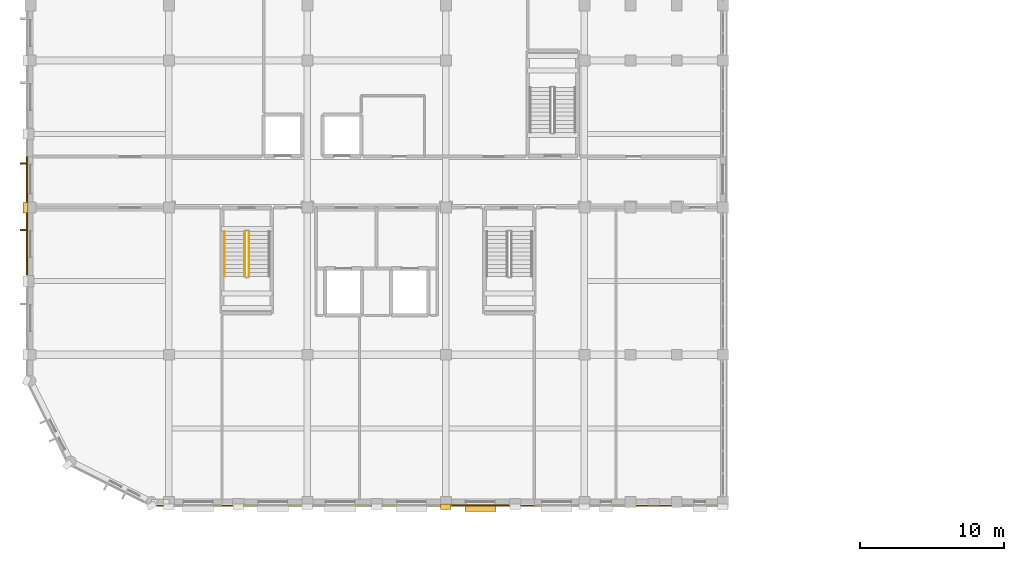
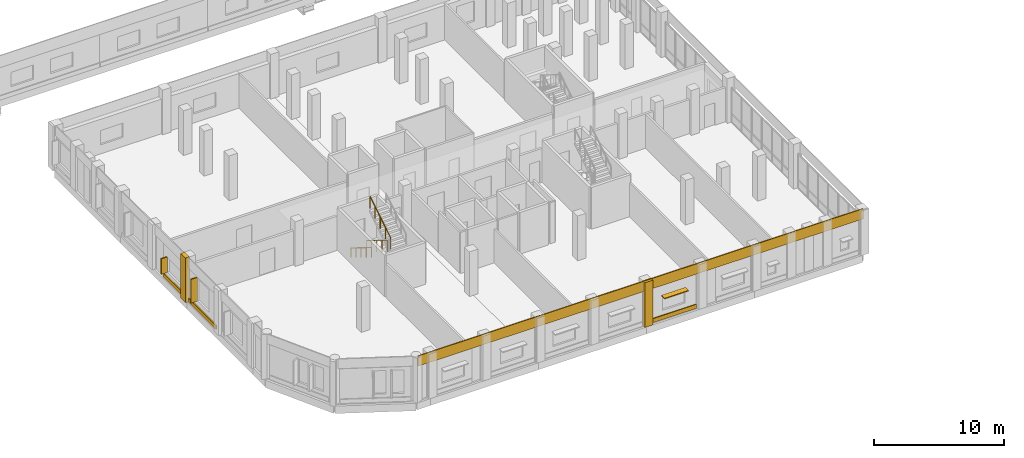
# One storey, part 152 of 170: 6 coverings, 3 railings, 3 shading devices.
"""IFC4 building model written with IfcOpenShell, lengths in metres."""

import ifcopenshell
import ifcopenshell.guid

model = None  # the IFC model being written
_history = None  # IfcOwnerHistory: only IFC2X3 demands one
_inside = {}  # id of a spatial element -> (the spatial element, [elements in it])
_under = {}  # id of a project, library or spatial element -> (it, [spatial elements below it])
_declared = {}  # id of a project -> (the project, [libraries it declares])
_typed = {}  # id of a type object -> (the type object, [elements of that type])
_made_of = {}  # id of a material, layer set ... -> (it, [elements and type objects made of it])


def new_model(schema):
    """Start an empty IFC model of exactly this schema.

    Asked for "IFC4X3", IfcOpenShell would pick the latest addendum, in which some entities
    have other attributes; the version numbers below select the first issue.
    IFC2X3 requires an IfcOwnerHistory on every rooted entity: one is made here for all.
    """
    global model, _history
    if schema == "IFC4X3":
        model = ifcopenshell.file(schema_version=(4, 3, 0, 0))
    else:
        model = ifcopenshell.file(schema=schema)
    _inside.clear()
    _under.clear()
    _declared.clear()
    _typed.clear()
    _made_of.clear()
    _history = None
    if model.schema == "IFC2X3":
        org = make("IfcOrganization", Name="unknown")
        user = make(
            "IfcPersonAndOrganization",
            ThePerson=make("IfcPerson", FamilyName="unknown"),
            TheOrganization=org,
        )
        app = make(
            "IfcApplication",
            ApplicationDeveloper=org,
            Version="unknown",
            ApplicationFullName="unknown",
            ApplicationIdentifier="unknown",
        )
        _history = make(
            "IfcOwnerHistory",
            OwningUser=user,
            OwningApplication=app,
            ChangeAction="ADDED",
            CreationDate=0,
        )
    return model


def make(cls, **values):
    """One entity of the class cls with the attributes given. An attribute that is None is left unset."""
    return model.create_entity(
        cls, **{name: value for name, value in values.items() if value is not None}
    )


def rooted(cls, **values):
    """An entity with a GlobalId (a new one), such as an element, a storey or a relation."""
    return make(cls, GlobalId=ifcopenshell.guid.new(), OwnerHistory=_history, **values)


def si_unit(unit_type, name, prefix=None):
    """IfcSIUnit, for example si_unit("LENGTHUNIT", "METRE", prefix="MILLI")."""
    return make("IfcSIUnit", UnitType=unit_type, Prefix=prefix, Name=name)


def assignment(units):
    """IfcUnitAssignment: the units of a project."""
    return None if units is None else make("IfcUnitAssignment", Units=units)


def point(xyz):
    """IfcCartesianPoint."""
    return None if xyz is None else make("IfcCartesianPoint", Coordinates=xyz)


def direction(xyz):
    """IfcDirection."""
    return None if xyz is None else make("IfcDirection", DirectionRatios=xyz)


def frame(location, z_axis=None, x_axis=None):
    """IfcAxis2Placement3D, a coordinate frame: its origin and axes. An axis left out is left unset."""
    return make(
        "IfcAxis2Placement3D",
        Location=point(location),
        Axis=direction(z_axis),
        RefDirection=direction(x_axis),
    )


def frame_2d(location, x_axis=None):
    """IfcAxis2Placement2D, a coordinate frame in the plane: its origin and x axis."""
    return make(
        "IfcAxis2Placement2D", Location=point(location), RefDirection=direction(x_axis)
    )


def origin():
    """The frame at (0, 0, 0) with its axes left unset."""
    return frame((0.0, 0.0, 0.0))


def origin_2d():
    """The frame at (0, 0) in the plane with its x axis left unset."""
    return frame_2d((0.0, 0.0))


def place(relative_to, where):
    """IfcLocalPlacement: puts the frame where relative to a parent placement (None: the world)."""
    return make(
        "IfcLocalPlacement", PlacementRelTo=relative_to, RelativePlacement=where
    )


def context(
    kind, dimensions, precision=None, world=None, true_north=None, identifier=None
):
    """IfcGeometricRepresentationContext, for example the 3D "Model" context."""
    return make(
        "IfcGeometricRepresentationContext",
        ContextIdentifier=identifier,
        ContextType=kind,
        CoordinateSpaceDimension=dimensions,
        Precision=precision,
        WorldCoordinateSystem=world,
        TrueNorth=true_north,
    )


def subcontext(parent, identifier, kind, view, scale=None):
    """IfcGeometricRepresentationSubContext, for example "Body" below "Model"."""
    return make(
        "IfcGeometricRepresentationSubContext",
        ContextIdentifier=identifier,
        ContextType=kind,
        ParentContext=parent,
        TargetScale=scale,
        TargetView=view,
    )


def project(units=None, contexts=None):
    """IfcProject with its units and contexts."""
    return rooted(
        "IfcProject",
        Name="project",
        RepresentationContexts=contexts,
        UnitsInContext=assignment(units),
    )


def spatial(cls, under=None, at=None, **own):
    """A site, building, storey or space (cls), placed at a placement, below another one or the project."""
    s = rooted(cls, ObjectPlacement=at, **own)
    if under is not None:
        _under.setdefault(under.id(), (under, []))[1].append(s)
    return s


def profile(cls, at=None, kind="AREA", **sizes):
    """A parametric profile (cls). Its sizes go by their IFC names, for example OverallWidth=200.0."""
    return make(cls, ProfileType=kind, Position=at, **sizes)


def rectangle(**sizes):
    """IfcRectangleProfileDef."""
    return profile("IfcRectangleProfileDef", **sizes)


def circle(**sizes):
    """IfcCircleProfileDef."""
    return profile("IfcCircleProfileDef", **sizes)


def extrude(swept, where, along, depth):
    """IfcExtrudedAreaSolid: the profile swept, set in the frame where, extruded along a direction by depth."""
    return make(
        "IfcExtrudedAreaSolid",
        SweptArea=swept,
        Position=where,
        ExtrudedDirection=direction(along),
        Depth=depth,
    )


def shape(context_of_items, identifier, shape_type, items):
    """IfcShapeRepresentation: the items that make up one representation, for example the "Body"."""
    return make(
        "IfcShapeRepresentation",
        ContextOfItems=context_of_items,
        RepresentationIdentifier=identifier,
        RepresentationType=shape_type,
        Items=items,
    )


def material(Name=None, Category=None):
    """IfcMaterial."""
    return make("IfcMaterial", Name=Name, Category=Category)


def layer(
    of_material, thickness, ventilated=None, Name=None, Category=None, Priority=None
):
    """IfcMaterialLayer: one layer of a wall or slab, of a material (None: an air gap)."""
    return make(
        "IfcMaterialLayer",
        Material=of_material,
        LayerThickness=thickness,
        IsVentilated=ventilated,
        Name=Name,
        Category=Category,
        Priority=Priority,
    )


def layer_set(layers, Name=None):
    """IfcMaterialLayerSet."""
    return make("IfcMaterialLayerSet", MaterialLayers=layers, LayerSetName=Name)


def made_of(thing, what):
    """Note that an element or type object is made of a material, layer set ...; save() writes the relation."""
    if what is not None:
        _made_of.setdefault(what.id(), (what, []))[1].append(thing)
    return thing


def type_object(cls, material=None, **own):
    """A type object (cls), such as IfcWallType, which elements share."""
    return made_of(rooted(cls, **own), material)


def element(
    cls,
    number,
    at=None,
    inside=None,
    cuts=None,
    type_object=None,
    material=None,
    context=None,
    identifier="Body",
    shape_type=None,
    held_by="IfcProductDefinitionShape",
    body=None,
    shapes=None,
    **own,
):
    """One element of the class cls, such as IfcWall. Its Tag is "e" and its number.

    at: its placement. inside: the storey or other place that contains it. cuts: it is an
    opening in that element (IfcRelVoidsElement). A single representation is given by context,
    identifier, shape_type and body (its items); several are given by shapes. held_by: the class
    of the entity that holds the representations. save() writes the other relations.
    """
    e = rooted(cls, Tag="e%d" % number, ObjectPlacement=at, **own)
    if body is not None:
        shapes = [shape(context, identifier, shape_type, body)]
    if shapes is not None:
        e.Representation = make(held_by, Representations=shapes)
    if inside is not None:
        _inside.setdefault(inside.id(), (inside, []))[1].append(e)
    if cuts is not None:
        rooted(
            "IfcRelVoidsElement", RelatingBuildingElement=cuts, RelatedOpeningElement=e
        )
    if type_object is not None:
        _typed.setdefault(type_object.id(), (type_object, []))[1].append(e)
    return made_of(e, material)


def aggregate(whole, parts):
    """IfcRelAggregates: a whole, such as a stair, and the parts it consists of."""
    return rooted("IfcRelAggregates", RelatingObject=whole, RelatedObjects=parts)


def save(model, path):
    """Write the relations noted so far, then the file.

    IfcRelAggregates (storeys below a building ...), IfcRelContainedInSpatialStructure (elements
    in a storey), IfcRelDefinesByType, IfcRelAssociatesMaterial and IfcRelDeclares: one each for
    every whole, place, type object, material and project.
    """
    for whole, parts in _under.values():
        aggregate(whole, parts)
    for where, things in _inside.values():
        rooted(
            "IfcRelContainedInSpatialStructure",
            RelatedElements=things,
            RelatingStructure=where,
        )
    for kind, things in _typed.values():
        rooted("IfcRelDefinesByType", RelatedObjects=things, RelatingType=kind)
    for what, things in _made_of.values():
        rooted("IfcRelAssociatesMaterial", RelatedObjects=things, RelatingMaterial=what)
    for by, libraries in _declared.values():
        rooted("IfcRelDeclares", RelatingContext=by, RelatedDefinitions=libraries)
    model.write(path)


model = new_model("IFC4")

# Units and contexts
model_context = context("Model", 3, precision=1e-05, world=origin(), true_north=direction((0.0, 1.0)))
body_context = subcontext(model_context, "Body", "Model", "MODEL_VIEW")
ifc_project = project(units=[si_unit("LENGTHUNIT", "METRE"), si_unit("AREAUNIT", "SQUARE_METRE"), si_unit("VOLUMEUNIT", "CUBIC_METRE"), si_unit("PLANEANGLEUNIT", "RADIAN"), si_unit("MASSUNIT", "GRAM", prefix="KILO")], contexts=[model_context])

# Site, building, storey
site_placement = place(None, origin())
site = spatial("IfcSite", under=ifc_project, at=site_placement, CompositionType="ELEMENT")
building_placement = place(site_placement, origin())
building = spatial("IfcBuilding", under=site, at=building_placement, Name="Vondelvale Polytechnic", CompositionType="ELEMENT")
storey_placement = place(building_placement, frame((0.0, 0.0, 5.39990234375)))
storey = spatial("IfcBuildingStorey", under=building, at=storey_placement, Name="L01", CompositionType="ELEMENT", Elevation=5.39990234375)

# Coverings
ifc_material_1 = material(Name="Malmsbury bluestone ashlar stone masonry", Category="masonry")
ifc_layer_1 = layer(ifc_material_1, 0.080078125)
ifc_layer_set_1 = layer_set([ifc_layer_1], Name="COV-BLUESTONE-PLINTH")
covering_type_1 = type_object("IfcCoveringType", Name="COV-BLUESTONE-PLINTH", PredefinedType="CLADDING", material=ifc_layer_set_1)
covering_1_placement = place(storey_placement, frame((28.199951171875, -0.260009765625, 3.240234375), z_axis=(0.0, 0.0, 1.0), x_axis=(1.0, 0.0, 0.0)))
element("IfcCovering", 1, at=covering_1_placement, inside=storey, type_object=covering_type_1, Name="L01 exterior masonry spandrel band", PredefinedType="CLADDING", context=body_context, shape_type="SweptSolid", body=[
    extrude(rectangle(XDim=39.60009765625, YDim=0.080078125, at=origin_2d()), origin(), (0.0, 0.0, 1.0), 0.9599609375),
])
ifc_material_2 = material(Name="Amsterdam School iron-spot clinker clay brickwork", Category="masonry")
ifc_layer_2 = layer(ifc_material_2, 0.090087890625)
ifc_layer_set_2 = layer_set([ifc_layer_2], Name="COV-BRICK-RELIEF")
covering_type_2 = type_object("IfcCoveringType", Name="COV-BRICK-RELIEF", PredefinedType="CLADDING", material=ifc_layer_set_2)
covering_2_placement = place(storey_placement, frame((31.1875, -0.23095703125, 0.000244140625), z_axis=(0.0, 0.0, 1.0), x_axis=(-1.0, 0.0, 0.0)))
element("IfcCovering", 2, at=covering_2_placement, inside=storey, type_object=covering_type_2, Name="L01 exterior corbelled masonry relief band", PredefinedType="CLADDING", context=body_context, shape_type="SweptSolid", body=[
    extrude(rectangle(XDim=3.962890625, YDim=0.090087890625, at=origin_2d()), origin(), (0.0, 0.0, 1.0), 0.3798828125),
])
covering_3_placement = place(storey_placement, frame((-0.23095703125, 17.862548828125, 0.000244140625), z_axis=(0.0, 0.0, 1.0), x_axis=(0.0, 1.0, 0.0)))
element("IfcCovering", 3, at=covering_3_placement, inside=storey, type_object=covering_type_2, Name="L01 exterior corbelled masonry relief band", PredefinedType="CLADDING", context=body_context, shape_type="SweptSolid", body=[
    extrude(rectangle(XDim=4.262939453125, YDim=0.090087890625, at=origin_2d()), origin(), (0.0, 0.0, 1.0), 0.3798828125),
])
covering_4_placement = place(storey_placement, frame((-0.23095703125, 22.363037109375, 0.000244140625), z_axis=(0.0, 0.0, 1.0), x_axis=(0.0, 1.0, 0.0)))
element("IfcCovering", 4, at=covering_4_placement, inside=storey, type_object=covering_type_2, Name="L01 exterior corbelled masonry relief band", PredefinedType="CLADDING", context=body_context, shape_type="SweptSolid", body=[
    extrude(rectangle(XDim=3.114013671875, YDim=0.090087890625, at=origin_2d()), origin(), (0.0, 0.0, 1.0), 0.3798828125),
])
covering_5_placement = place(storey_placement, frame((28.800048828125, -0.340087890625, 0.0), z_axis=(0.0, 0.0, 1.0), x_axis=(1.0, 0.0, 0.0)))
element("IfcCovering", 5, at=covering_5_placement, inside=storey, type_object=covering_type_2, Name="L01 Classical street pilaster", PredefinedType="CLADDING", context=body_context, shape_type="SweptSolid", body=[
    extrude(rectangle(XDim=0.719970703125, YDim=0.360107421875, at=origin_2d()), origin(), (0.0, 0.0, 1.0), 4.199951171875),
])
covering_6_placement = place(storey_placement, frame((-0.340087890625, 20.39990234375, 0.0), z_axis=(0.0, 0.0, 1.0), x_axis=(1.0, 0.0, 0.0)))
element("IfcCovering", 6, at=covering_6_placement, inside=storey, type_object=covering_type_2, Name="L01 Classical street pilaster", PredefinedType="CLADDING", context=body_context, shape_type="SweptSolid", body=[
    extrude(rectangle(XDim=0.360107421875, YDim=0.719970703125, at=origin_2d()), origin(), (0.0, 0.0, 1.0), 4.199951171875),
])

# Railings
ifc_material_3 = material(Name="Brushed architectural stainless and zinc-coated metal")
ifc_layer_3 = layer(ifc_material_3, 0.050048828125)
ifc_layer_set_3 = layer_set([ifc_layer_3], Name="RL-STAIR-GUARD")
railing_type_1 = type_object("IfcRailingType", Name="RL-STAIR-GUARD", PredefinedType="GUARDRAIL", material=ifc_layer_set_3)
railing_1_placement = place(storey_placement, frame((14.85009765625, 18.75, 0.175048828125)))
element("IfcRailing", 7, at=railing_1_placement, inside=storey, type_object=railing_type_1, Name="L01 ST-03 stair guard 1", PredefinedType="GUARDRAIL", context=body_context, shape_type="SweptSolid", body=[
    extrude(circle(Radius=0.02392578125, at=origin_2d()), frame((0.0, 0.0, 1.076171875), z_axis=(0.0, -0.852166034122, 0.523271488128), x_axis=(1.0, 0.0, 0.0)), (0.0, 0.0, 1.0), 3.678955078125),
    extrude(circle(Radius=0.02099609375, at=origin_2d()), origin(), (0.0, 0.0, 1.0), 1.052001953125),
    extrude(circle(Radius=0.02099609375, at=origin_2d()), frame((0.0, -0.78369140625, 0.481201171875)), (0.0, 0.0, 1.0), 1.052001953125),
    extrude(circle(Radius=0.02099609375, at=origin_2d()), frame((0.0, -1.5673828125, 0.96240234375)), (0.0, 0.0, 1.0), 1.052001953125),
    extrude(circle(Radius=0.02099609375, at=origin_2d()), frame((0.0, -2.351318359375, 1.44384765625)), (0.0, 0.0, 1.0), 1.052001953125),
    extrude(circle(Radius=0.02099609375, at=origin_2d()), frame((0.0, -3.135009765625, 1.925048828125)), (0.0, 0.0, 1.0), 1.052001953125),
])
railing_2_placement = place(storey_placement, frame((15.14990234375, 15.614990234375, 2.275146484375)))
element("IfcRailing", 8, at=railing_2_placement, inside=storey, type_object=railing_type_1, Name="L01 ST-03 stair guard 3", PredefinedType="GUARDRAIL", context=body_context, shape_type="SweptSolid", body=[
    extrude(circle(Radius=0.02392578125, at=origin_2d()), frame((0.0, 0.0, 1.076171875), z_axis=(0.0, 0.852166034122, 0.523271488128), x_axis=(-1.0, 0.0, 0.0)), (0.0, 0.0, 1.0), 3.678955078125),
    extrude(circle(Radius=0.02099609375, at=origin_2d()), origin(), (0.0, 0.0, 1.0), 1.052001953125),
    extrude(circle(Radius=0.02099609375, at=origin_2d()), frame((0.0, 0.78369140625, 0.481201171875)), (0.0, 0.0, 1.0), 1.052001953125),
    extrude(circle(Radius=0.02099609375, at=origin_2d()), frame((0.0, 1.5673828125, 0.96240234375)), (0.0, 0.0, 1.0), 1.052001953125),
    extrude(circle(Radius=0.02099609375, at=origin_2d()), frame((0.0, 2.351318359375, 1.44384765625)), (0.0, 0.0, 1.0), 1.052001953125),
    extrude(circle(Radius=0.02099609375, at=origin_2d()), frame((0.0, 3.135009765625, 1.925048828125)), (0.0, 0.0, 1.0), 1.052001953125),
])
ifc_layer_4 = layer(ifc_material_3, 0.048095703125)
ifc_layer_set_4 = layer_set([ifc_layer_4], Name="RL-STAIR-HANDRAIL")
railing_type_2 = type_object("IfcRailingType", Name="RL-STAIR-HANDRAIL", PredefinedType="HANDRAIL", material=ifc_layer_set_4)
railing_3_placement = place(storey_placement, frame((13.449951171875, 18.75, 0.175048828125)))
element("IfcRailing", 9, at=railing_3_placement, inside=storey, type_object=railing_type_2, Name="L01 ST-03 stair handrail 1", PredefinedType="HANDRAIL", context=body_context, shape_type="SweptSolid", body=[
    extrude(circle(Radius=0.02392578125, at=origin_2d()), frame((0.0, 0.0, 0.8759765625), z_axis=(0.0, -0.852166034122, 0.523271488128), x_axis=(1.0, 0.0, 0.0)), (0.0, 0.0, 1.0), 3.678955078125),
    extrude(circle(Radius=0.02099609375, at=origin_2d()), origin(), (0.0, 0.0, 1.0), 0.851806640625),
    extrude(circle(Radius=0.02099609375, at=origin_2d()), frame((0.0, -0.78369140625, 0.481201171875)), (0.0, 0.0, 1.0), 0.851806640625),
    extrude(circle(Radius=0.02099609375, at=origin_2d()), frame((0.0, -1.5673828125, 0.96240234375)), (0.0, 0.0, 1.0), 0.851806640625),
    extrude(circle(Radius=0.02099609375, at=origin_2d()), frame((0.0, -2.351318359375, 1.44384765625)), (0.0, 0.0, 1.0), 0.851806640625),
    extrude(circle(Radius=0.02099609375, at=origin_2d()), frame((0.0, -3.135009765625, 1.925048828125)), (0.0, 0.0, 1.0), 0.851806640625),
])

# Shading devices
ifc_material_4 = material(Name="Anodised extruded aluminium 6063-T6", Category="aluminium")
shading_device_type_1 = type_object("IfcShadingDeviceType", Name="SHD-BRONZE-LOUVRE", PredefinedType="SHUTTER", material=ifc_material_4)
shading_device_1_placement = place(storey_placement, frame((31.1875, -0.4150390625, 2.15771484375), z_axis=(0.0, 0.0, 1.0), x_axis=(-1.0, 0.0, 0.0)))
element("IfcShadingDevice", 10, at=shading_device_1_placement, inside=storey, type_object=shading_device_type_1, Name="L01 horizontal bronze sun-louvre overhang", PredefinedType="SHUTTER", context=body_context, shape_type="SweptSolid", body=[
    extrude(rectangle(XDim=2.159912109375, YDim=0.47998046875, at=origin_2d()), origin(), (0.0, 0.0, 1.0), 0.0849609375),
])
ifc_material_5 = material(Name="Kiln-fired architectural terracotta", Category="masonry")
shading_device_type_2 = type_object("IfcShadingDeviceType", Name="SHD-TERRA-FIN-550", PredefinedType="JALOUSIE", material=ifc_material_5)
shading_device_2_placement = place(storey_placement, frame((-0.449951171875, 18.8525390625, 0.7900390625), z_axis=(0.0, 0.0, 1.0), x_axis=(0.0, 1.0, 0.0)))
element("IfcShadingDevice", 11, at=shading_device_2_placement, inside=storey, type_object=shading_device_type_2, Name="L01 vertical terracotta solar fin", PredefinedType="JALOUSIE", context=body_context, shape_type="SweptSolid", body=[
    extrude(rectangle(XDim=0.110107421875, YDim=0.550048828125, at=origin_2d()), origin(), (0.0, 0.0, 1.0), 2.219970703125),
])
shading_device_3_placement = place(storey_placement, frame((-0.449951171875, 23.452880859375, 0.68994140625), z_axis=(0.0, 0.0, 1.0), x_axis=(0.0, 1.0, 0.0)))
element("IfcShadingDevice", 12, at=shading_device_3_placement, inside=storey, type_object=shading_device_type_2, Name="L01 vertical terracotta solar fin", PredefinedType="JALOUSIE", context=body_context, shape_type="SweptSolid", body=[
    extrude(rectangle(XDim=0.110107421875, YDim=0.550048828125, at=origin_2d()), origin(), (0.0, 0.0, 1.0), 1.469970703125),
])

save(model, "model.ifc")
